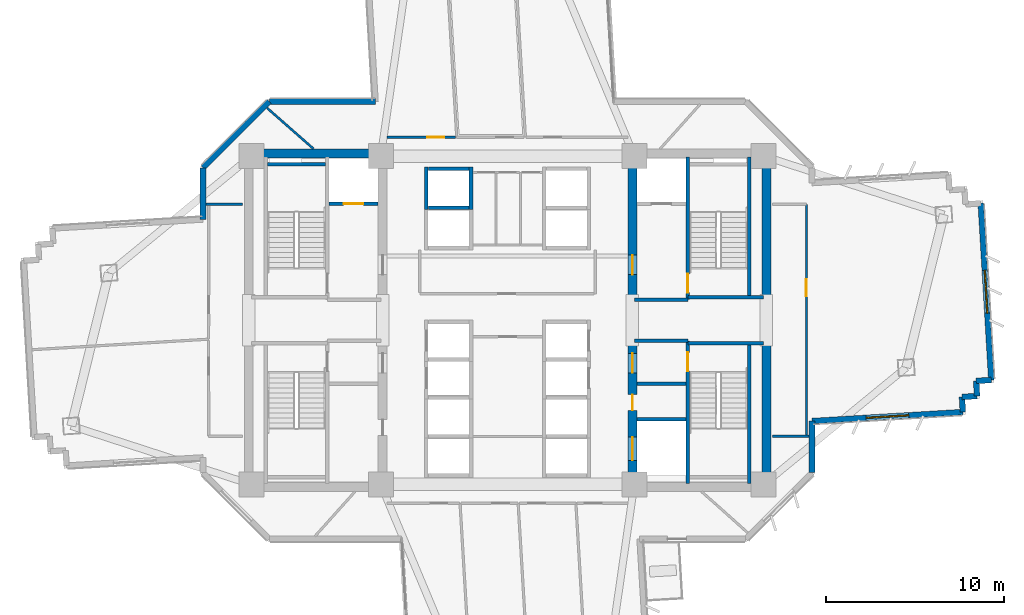
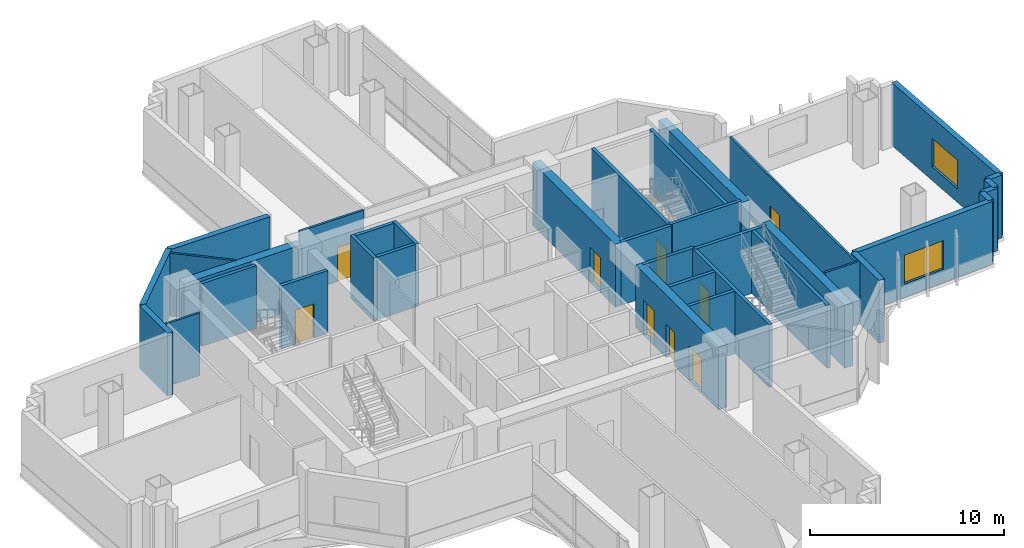
# One storey, part 8 of 15: 36 walls, 9 doors, 2 windows, 11 openings.
"""IFC4 building model written with IfcOpenShell, lengths in metres."""

from ifc_helpers import new_model, si_unit, direction, frame, frame_2d, origin, place, context, subcontext, project, spatial, rectangle, extrude, source, transform, mapped, material, layer, layer_set, type_object, element, fill, save


model = new_model("IFC4")

# Units and contexts
model_context = context("Model", 3, precision=1e-05, world=origin(), true_north=direction((0.0, 1.0)))
body_context = subcontext(model_context, "Body", "Model", "MODEL_VIEW")
ifc_project = project(units=[si_unit("LENGTHUNIT", "METRE"), si_unit("AREAUNIT", "SQUARE_METRE"), si_unit("VOLUMEUNIT", "CUBIC_METRE"), si_unit("PLANEANGLEUNIT", "RADIAN"), si_unit("MASSUNIT", "GRAM", prefix="KILO")], contexts=[model_context])

# Site, building, storey
site_placement = place(None, origin())
site = spatial("IfcSite", under=ifc_project, at=site_placement, CompositionType="ELEMENT")
building_placement = place(site_placement, origin())
building = spatial("IfcBuilding", under=site, at=building_placement, Name="Zahravan Cultural Tower", CompositionType="ELEMENT")
storey_placement = place(building_placement, frame((0.0, 0.0, 66.89990234375)))
storey = spatial("IfcBuildingStorey", under=building, at=storey_placement, Name="L14", CompositionType="ELEMENT", Elevation=66.89990234375)

# Wall, openings, doors
ifc_material_1 = material(Name="Concrete C60/75", Category="concrete")
ifc_layer_1 = layer(ifc_material_1, 0.5)
ifc_layer_set_1 = layer_set([ifc_layer_1], Name="Concrete C60/75")
wall_type_1 = type_object("IfcWallType", Name="CW-SHEAR-500-C60", PredefinedType="SHEAR", material=ifc_layer_set_1)
wall_1_placement = place(storey_placement, frame((43.0, 17.39990234375, 0.0), z_axis=(0.0, 0.0, 1.0), x_axis=(0.0, 1.0, 0.0)))
wall_1 = element("IfcWall", 1, at=wall_1_placement, inside=storey, type_object=wall_type_1, Name="L14 Core Shear Wall CW-E-WS-L14", PredefinedType="SHEAR", context=body_context, shape_type="SweptSolid", body=[
    extrude(rectangle(XDim=8.550048828125, YDim=0.5, at=frame_2d((4.27490234375, 0.0))), origin(), (0.0, 0.0, 1.0), 3.9501953125),
])
opening_1_placement = place(wall_1_placement, frame((6.64990234375, 0.0, 0.0)))
opening_1 = element("IfcOpeningElement", 2, at=opening_1_placement, cuts=wall_1, Name="Opening D-L14-08", PredefinedType="OPENING", context=body_context, shape_type="SweptSolid", body=[
    extrude(rectangle(XDim=1.10009765625, YDim=2.199951171875, at=frame_2d((0.550048828125, 1.10009765625))), frame((0.0, 0.260009765625, 0.0), z_axis=(0.0, -1.0, 0.0), x_axis=(1.0, 0.0, 0.0)), (0.0, 0.0, 1.0), 0.52001953125),
])
opening_2_placement = place(wall_1_placement, frame((1.75, 0.0, 0.0)))
opening_2 = element("IfcOpeningElement", 3, at=opening_2_placement, cuts=wall_1, Name="Opening LD-L14-03", PredefinedType="OPENING", context=body_context, shape_type="SweptSolid", body=[
    extrude(rectangle(XDim=1.300048828125, YDim=2.199951171875, at=frame_2d((0.64990234375, 1.10009765625))), frame((0.0, 0.260009765625, 0.0), z_axis=(0.0, -1.0, 0.0), x_axis=(1.0, 0.0, 0.0)), (0.0, 0.0, 1.0), 0.52001953125),
])
opening_3_placement = place(wall_1_placement, frame((4.550048828125, 0.0, 0.0)))
opening_3 = element("IfcOpeningElement", 4, at=opening_3_placement, cuts=wall_1, Name="Opening D-L14-10", PredefinedType="OPENING", context=body_context, shape_type="SweptSolid", body=[
    extrude(rectangle(XDim=0.8798828125, YDim=2.10009765625, at=frame_2d((0.43994140625, 1.050048828125))), frame((0.0, 0.260009765625, 0.0), z_axis=(0.0, -1.0, 0.0), x_axis=(1.0, 0.0, 0.0)), (0.0, 0.0, 1.0), 0.52001953125),
])
ifc_material_2 = material(Name="Steel ASTM A572 Grade 50", Category="steel")
door_type_1 = type_object("IfcDoorType", Name="DR-LOBBY-1100", OperationType="NOTDEFINED", PredefinedType="DOOR", material=ifc_material_2)
shared_shape_1 = source(origin(), body_context, "Body", "SweptSolid", [
    extrude(rectangle(XDim=1.10009765625, YDim=2.199951171875, at=frame_2d((0.550048828125, 1.10009765625))), frame((0.0, 0.02490234375, 0.0), z_axis=(0.0, -1.0, 0.0), x_axis=(1.0, 0.0, 0.0)), (0.0, 0.0, 1.0), 0.050048828125),
])
door_1_placement = place(opening_1_placement, origin())
door_1 = element("IfcDoor", 5, at=door_1_placement, inside=storey, type_object=door_type_1, Name="L14 Door D-L14-08", OperationType="SINGLE_SWING_LEFT", OverallHeight=2.199951171875, OverallWidth=1.10009765625, PredefinedType="DOOR", context=body_context, shape_type="MappedRepresentation", body=[
    mapped(shared_shape_1, transform((0.0, 0.0, 0.0), x_axis=(1.0, 0.0, 0.0), y_axis=(0.0, 1.0, 0.0), z_axis=(0.0, 0.0, 1.0), scale=1.0)),
])
fill(opening_1, door_1)
door_type_2 = type_object("IfcDoorType", Name="DR-LIFT-1300", OperationType="DOUBLE_DOOR_SLIDING", PredefinedType="DOOR", material=ifc_material_2)
shared_shape_2 = source(origin(), body_context, "Body", "SweptSolid", [
    extrude(rectangle(XDim=1.300048828125, YDim=2.199951171875, at=frame_2d((0.64990234375, 1.10009765625))), frame((0.0, 0.02490234375, 0.0), z_axis=(0.0, -1.0, 0.0), x_axis=(1.0, 0.0, 0.0)), (0.0, 0.0, 1.0), 0.050048828125),
])
door_2_placement = place(opening_2_placement, origin())
door_2 = element("IfcDoor", 6, at=door_2_placement, inside=storey, type_object=door_type_2, Name="L14 Door LD-L14-03", OperationType="DOUBLE_DOOR_SLIDING", OverallHeight=2.199951171875, OverallWidth=1.300048828125, PredefinedType="DOOR", context=body_context, shape_type="MappedRepresentation", body=[
    mapped(shared_shape_2, transform((0.0, 0.0, 0.0), x_axis=(1.0, 0.0, 0.0), y_axis=(0.0, 1.0, 0.0), z_axis=(0.0, 0.0, 1.0), scale=1.0)),
])
fill(opening_2, door_2)
door_type_3 = type_object("IfcDoorType", Name="DR-SVC-880", OperationType="NOTDEFINED", PredefinedType="DOOR", material=ifc_material_2)
shared_shape_3 = source(origin(), body_context, "Body", "SweptSolid", [
    extrude(rectangle(XDim=0.8798828125, YDim=2.10009765625, at=frame_2d((0.43994140625, 1.050048828125))), frame((0.0, 0.02490234375, 0.0), z_axis=(0.0, -1.0, 0.0), x_axis=(1.0, 0.0, 0.0)), (0.0, 0.0, 1.0), 0.050048828125),
])
door_3_placement = place(opening_3_placement, origin())
door_3 = element("IfcDoor", 7, at=door_3_placement, inside=storey, type_object=door_type_3, Name="L14 Door D-L14-10", OperationType="SINGLE_SWING_LEFT", OverallHeight=2.10009765625, OverallWidth=0.8798828125, PredefinedType="DOOR", context=body_context, shape_type="MappedRepresentation", body=[
    mapped(shared_shape_3, transform((0.0, 0.0, 0.0), x_axis=(1.0, 0.0, 0.0), y_axis=(0.0, 1.0, 0.0), z_axis=(0.0, 0.0, 1.0), scale=1.0)),
])
fill(opening_3, door_3)

# Wall, opening, door
wall_2_placement = place(storey_placement, frame((43.0, 28.050048828125, 0.0), z_axis=(0.0, 0.0, 1.0), x_axis=(0.0, 1.0, 0.0)))
wall_2 = element("IfcWall", 8, at=wall_2_placement, inside=storey, type_object=wall_type_1, Name="L14 Core Shear Wall CW-E-WN-L14", PredefinedType="SHEAR", context=body_context, shape_type="SweptSolid", body=[
    extrude(rectangle(XDim=8.550048828125, YDim=0.5, at=frame_2d((4.27490234375, 0.0))), origin(), (0.0, 0.0, 1.0), 3.9501953125),
])
opening_4_placement = place(wall_2_placement, frame((1.5, 0.0, 0.0)))
opening_4 = element("IfcOpeningElement", 9, at=opening_4_placement, cuts=wall_2, Name="Opening D-L14-06", PredefinedType="OPENING", context=body_context, shape_type="SweptSolid", body=[
    extrude(rectangle(XDim=1.10009765625, YDim=2.199951171875, at=frame_2d((0.550048828125, 1.10009765625))), frame((0.0, 0.260009765625, 0.0), z_axis=(0.0, -1.0, 0.0), x_axis=(1.0, 0.0, 0.0)), (0.0, 0.0, 1.0), 0.52001953125),
])
door_4_placement = place(opening_4_placement, origin())
door_4 = element("IfcDoor", 10, at=door_4_placement, inside=storey, type_object=door_type_1, Name="L14 Door D-L14-06", OperationType="SINGLE_SWING_LEFT", OverallHeight=2.199951171875, OverallWidth=1.10009765625, PredefinedType="DOOR", context=body_context, shape_type="MappedRepresentation", body=[
    mapped(shared_shape_1, transform((0.0, 0.0, 0.0), x_axis=(1.0, 0.0, 0.0), y_axis=(0.0, 1.0, 0.0), z_axis=(0.0, 0.0, 1.0), scale=1.0)),
])
fill(opening_4, door_4)

# Wall, opening, window
ifc_material_3 = material(Name="Precast concrete C40/50", Category="concrete")
ifc_layer_2 = layer(ifc_material_3, 0.320068359375)
ifc_layer_set_2 = layer_set([ifc_layer_2], Name="Precast concrete C40/50")
wall_type_2 = type_object("IfcWallType", Name="EW-TC-320", PredefinedType="SOLIDWALL", material=ifc_layer_set_2)
wall_3_placement = place(storey_placement, frame((62.516357421875, 33.553466796875, 0.0), z_axis=(0.0, 0.0, 1.0), x_axis=(0.059656871726, -0.998218942745, 0.0)))
wall_3 = element("IfcWall", 11, at=wall_3_placement, inside=storey, type_object=wall_type_2, Name="L14 Exterior Masonry Frame Wall 06", PredefinedType="SOLIDWALL", context=body_context, shape_type="SweptSolid", body=[
    extrude(rectangle(XDim=9.919921875, YDim=0.320068359375, at=frame_2d((4.9599609375, 0.0))), origin(), (0.0, 0.0, 1.0), 3.9501953125),
])
opening_5_placement = place(wall_3_placement, frame((3.760009765625, 0.0, 0.85009765625)))
opening_5 = element("IfcOpeningElement", 12, at=opening_5_placement, cuts=wall_3, Name="Opening WN-01", PredefinedType="OPENING", context=body_context, shape_type="SweptSolid", body=[
    extrude(rectangle(XDim=2.39990234375, YDim=1.800048828125, at=frame_2d((1.199951171875, 0.89990234375))), frame((0.0, 0.169921875, 0.0), z_axis=(0.0, -1.0, 0.0), x_axis=(1.0, 0.0, 0.0)), (0.0, 0.0, 1.0), 0.340087890625),
])
ifc_material_4 = material(Name="Low-E solar-control double glazing", Category="glass")
window_type = type_object("IfcWindowType", Name="WN-REC-2400X1800", PartitioningType="DOUBLE_PANEL_VERTICAL", PredefinedType="WINDOW", material=ifc_material_4)
shared_shape_4 = source(origin(), body_context, "Body", "SweptSolid", [
    extrude(rectangle(XDim=2.39990234375, YDim=1.800048828125, at=frame_2d((1.199951171875, 0.89990234375))), frame((0.0, 0.030029296875, 0.0), z_axis=(0.0, -1.0, 0.0), x_axis=(1.0, 0.0, 0.0)), (0.0, 0.0, 1.0), 0.06005859375),
])
window_1_placement = place(opening_5_placement, origin())
window_1 = element("IfcWindow", 13, at=window_1_placement, inside=storey, type_object=window_type, Name="L14 Recessed Solar Window 02", OverallHeight=1.800048828125, OverallWidth=2.39990234375, PartitioningType="DOUBLE_PANEL_VERTICAL", PredefinedType="WINDOW", context=body_context, shape_type="MappedRepresentation", body=[
    mapped(shared_shape_4, transform((0.0, 0.0, 0.0), x_axis=(1.0, 0.0, 0.0), y_axis=(0.0, 1.0, 0.0), z_axis=(0.0, 0.0, 1.0), scale=1.0)),
])
fill(opening_5, window_1)

wall_4_placement = place(storey_placement, frame((61.512451171875, 21.852783203125, 0.0), z_axis=(0.0, 0.0, 1.0), x_axis=(-0.998219055518, -0.059654984716, 0.0)))
wall_4 = element("IfcWall", 14, at=wall_4_placement, inside=storey, type_object=wall_type_2, Name="L14 Exterior Masonry Frame Wall 11", PredefinedType="SOLIDWALL", context=body_context, shape_type="SweptSolid", body=[
    extrude(rectangle(XDim=8.467529296875, YDim=0.320068359375, at=frame_2d((4.23388671875, 0.0))), origin(), (0.0, 0.0, 1.0), 3.9501953125),
])
opening_6_placement = place(wall_4_placement, frame((3.033935546875, 0.0, 0.85009765625)))
opening_6 = element("IfcOpeningElement", 15, at=opening_6_placement, cuts=wall_4, Name="Opening WN-01", PredefinedType="OPENING", context=body_context, shape_type="SweptSolid", body=[
    extrude(rectangle(XDim=2.39990234375, YDim=1.800048828125, at=frame_2d((1.199951171875, 0.89990234375))), frame((0.0, 0.169921875, 0.0), z_axis=(0.0, -1.0, 0.0), x_axis=(1.0, 0.0, 0.0)), (0.0, 0.0, 1.0), 0.340087890625),
])
window_2_placement = place(opening_6_placement, origin())
window_2 = element("IfcWindow", 16, at=window_2_placement, inside=storey, type_object=window_type, Name="L14 Recessed Solar Window 03", OverallHeight=1.800048828125, OverallWidth=2.39990234375, PartitioningType="DOUBLE_PANEL_VERTICAL", PredefinedType="WINDOW", context=body_context, shape_type="MappedRepresentation", body=[
    mapped(shared_shape_4, transform((0.0, 0.0, 0.0), x_axis=(1.0, 0.0, 0.0), y_axis=(0.0, 1.0, 0.0), z_axis=(0.0, 0.0, 1.0), scale=1.0)),
])
fill(opening_6, window_2)

# Wall, opening, door
ifc_material_5 = material(Name="Gypsum plasterboard partition")
ifc_layer_3 = layer(ifc_material_5, 0.125)
ifc_layer_set_3 = layer_set([ifc_layer_3], Name="Gypsum plasterboard partition")
wall_type_3 = type_object("IfcWallType", Name="W-PART-125", PredefinedType="PARTITIONING", material=ifc_layer_set_3)
wall_5_placement = place(storey_placement, frame((33.085205078125, 37.260009765625, 0.0), z_axis=(0.0, 0.0, 1.0), x_axis=(-0.999999997966, -6.3783646e-05, 0.0)))
wall_5 = element("IfcWall", 17, at=wall_5_placement, inside=storey, type_object=wall_type_3, Name="L14 Interior Wall 092", PredefinedType="PARTITIONING", context=body_context, shape_type="SweptSolid", body=[
    extrude(rectangle(XDim=3.82763671875, YDim=0.125, at=frame_2d((1.913818359375, 0.0))), origin(), (0.0, 0.0, 1.0), 3.9501953125),
])
opening_7_placement = place(wall_5_placement, frame((0.633056640625, 0.0, 0.0)))
opening_7 = element("IfcOpeningElement", 18, at=opening_7_placement, cuts=wall_5, Name="Opening D-L14-19", PredefinedType="OPENING", context=body_context, shape_type="SweptSolid", body=[
    extrude(rectangle(XDim=0.949951171875, YDim=2.14990234375, at=frame_2d((0.47509765625, 1.074951171875))), frame((0.0, 0.072509765625, 0.0), z_axis=(0.0, -1.0, 0.0), x_axis=(1.0, 0.0, 0.0)), (0.0, 0.0, 1.0), 0.14501953125),
])
ifc_material_6 = material(Name="Anodised bronze-aluminium mullion", Category="aluminium")
door_type_4 = type_object("IfcDoorType", Name="DR-ROOM-950", OperationType="NOTDEFINED", PredefinedType="DOOR", material=ifc_material_6)
shared_shape_5 = source(origin(), body_context, "Body", "SweptSolid", [
    extrude(rectangle(XDim=0.949951171875, YDim=2.14990234375, at=frame_2d((0.47509765625, 1.074951171875))), frame((0.0, 0.02490234375, 0.0), z_axis=(0.0, -1.0, 0.0), x_axis=(1.0, 0.0, 0.0)), (0.0, 0.0, 1.0), 0.050048828125),
])
door_5_placement = place(opening_7_placement, origin())
door_5 = element("IfcDoor", 19, at=door_5_placement, inside=storey, type_object=door_type_4, Name="L14 Door D-L14-19", OperationType="SINGLE_SWING_RIGHT", OverallHeight=2.14990234375, OverallWidth=0.949951171875, PredefinedType="DOOR", context=body_context, shape_type="MappedRepresentation", body=[
    mapped(shared_shape_5, transform((0.0, 0.0, 0.0), x_axis=(1.0, 0.0, 0.0), y_axis=(0.0, 1.0, 0.0), z_axis=(0.0, 0.0, 1.0), scale=1.0)),
])
fill(opening_7, door_5)

wall_6_placement = place(storey_placement, frame((52.748779296875, 20.56982421875, 0.0), z_axis=(0.0, 0.0, 1.0), x_axis=(-0.000113312307, 0.99999999358, 0.0)))
wall_6 = element("IfcWall", 20, at=wall_6_placement, inside=storey, type_object=wall_type_3, Name="L14 Interior Wall 103", PredefinedType="PARTITIONING", context=body_context, shape_type="SweptSolid", body=[
    extrude(rectangle(XDim=12.927490234375, YDim=0.125, at=frame_2d((6.4638671875, 0.0))), origin(), (0.0, 0.0, 1.0), 3.9501953125),
])
opening_8_placement = place(wall_6_placement, frame((7.785400390625, 0.0, 0.0)))
opening_8 = element("IfcOpeningElement", 21, at=opening_8_placement, cuts=wall_6, Name="Opening D-L14-16", PredefinedType="OPENING", context=body_context, shape_type="SweptSolid", body=[
    extrude(rectangle(XDim=0.949951171875, YDim=2.14990234375, at=frame_2d((0.47509765625, 1.074951171875))), frame((0.0, 0.072509765625, 0.0), z_axis=(0.0, -1.0, 0.0), x_axis=(1.0, 0.0, 0.0)), (0.0, 0.0, 1.0), 0.14501953125),
])
door_6_placement = place(opening_8_placement, origin())
door_6 = element("IfcDoor", 22, at=door_6_placement, inside=storey, type_object=door_type_4, Name="L14 Door D-L14-16", OperationType="SINGLE_SWING_LEFT", OverallHeight=2.14990234375, OverallWidth=0.949951171875, PredefinedType="DOOR", context=body_context, shape_type="MappedRepresentation", body=[
    mapped(shared_shape_5, transform((0.0, 0.0, 0.0), x_axis=(1.0, 0.0, 0.0), y_axis=(0.0, 1.0, 0.0), z_axis=(0.0, 0.0, 1.0), scale=1.0)),
])
fill(opening_8, door_6)

ifc_material_7 = material(Name="Concrete C45/55", Category="concrete")
ifc_layer_4 = layer(ifc_material_7, 0.199951171875)
ifc_layer_set_4 = layer_set([ifc_layer_4], Name="Concrete C45/55")
wall_type_4 = type_object("IfcWallType", Name="W-SHAFT-200", PredefinedType="SOLIDWALL", material=ifc_layer_set_4)
wall_7_placement = place(storey_placement, frame((46.10009765625, 17.85009765625, 0.0), z_axis=(0.0, 0.0, 1.0), x_axis=(0.0, 1.0, 0.0)))
wall_7 = element("IfcWall", 23, at=wall_7_placement, inside=storey, type_object=wall_type_4, Name="L14 Interior Wall 007", PredefinedType="SOLIDWALL", context=body_context, shape_type="SweptSolid", body=[
    extrude(rectangle(XDim=8.0, YDim=0.199951171875, at=frame_2d((4.0, 0.0))), origin(), (0.0, 0.0, 1.0), 3.9501953125),
])
opening_9_placement = place(wall_7_placement, frame((6.300048828125, 0.0, 0.0)))
opening_9 = element("IfcOpeningElement", 24, at=opening_9_placement, cuts=wall_7, Name="Opening D-L14-03", PredefinedType="OPENING", context=body_context, shape_type="SweptSolid", body=[
    extrude(rectangle(XDim=1.050048828125, YDim=2.14990234375, at=frame_2d((0.52490234375, 1.074951171875))), frame((0.0, 0.10986328125, 0.0), z_axis=(0.0, -1.0, 0.0), x_axis=(1.0, 0.0, 0.0)), (0.0, 0.0, 1.0), 0.219970703125),
])
door_type_5 = type_object("IfcDoorType", Name="DR-STAIR-1050", OperationType="NOTDEFINED", PredefinedType="DOOR", material=ifc_material_2)
shared_shape_6 = source(origin(), body_context, "Body", "SweptSolid", [
    extrude(rectangle(XDim=1.050048828125, YDim=2.14990234375, at=frame_2d((0.52490234375, 1.074951171875))), frame((0.0, 0.02490234375, 0.0), z_axis=(0.0, -1.0, 0.0), x_axis=(1.0, 0.0, 0.0)), (0.0, 0.0, 1.0), 0.050048828125),
])
door_7_placement = place(opening_9_placement, origin())
door_7 = element("IfcDoor", 25, at=door_7_placement, inside=storey, type_object=door_type_5, Name="L14 Door D-L14-03", OperationType="SINGLE_SWING_RIGHT", OverallHeight=2.14990234375, OverallWidth=1.050048828125, PredefinedType="DOOR", context=body_context, shape_type="MappedRepresentation", body=[
    mapped(shared_shape_6, transform((0.0, 0.0, 0.0), x_axis=(1.0, 0.0, 0.0), y_axis=(0.0, 1.0, 0.0), z_axis=(0.0, 0.0, 1.0), scale=1.0)),
])
fill(opening_9, door_7)

wall_8_placement = place(storey_placement, frame((46.10009765625, 28.14990234375, 0.0), z_axis=(0.0, 0.0, 1.0), x_axis=(0.0, 1.0, 0.0)))
wall_8 = element("IfcWall", 26, at=wall_8_placement, inside=storey, type_object=wall_type_4, Name="L14 Interior Wall 008", PredefinedType="SOLIDWALL", context=body_context, shape_type="SweptSolid", body=[
    extrude(rectangle(XDim=8.0, YDim=0.199951171875, at=frame_2d((4.0, 0.0))), origin(), (0.0, 0.0, 1.0), 3.9501953125),
])
opening_10_placement = place(wall_8_placement, frame((0.39990234375, 0.0, 0.0)))
opening_10 = element("IfcOpeningElement", 27, at=opening_10_placement, cuts=wall_8, Name="Opening D-L14-02", PredefinedType="OPENING", context=body_context, shape_type="SweptSolid", body=[
    extrude(rectangle(XDim=1.050048828125, YDim=2.14990234375, at=frame_2d((0.52490234375, 1.074951171875))), frame((0.0, 0.10986328125, 0.0), z_axis=(0.0, -1.0, 0.0), x_axis=(1.0, 0.0, 0.0)), (0.0, 0.0, 1.0), 0.219970703125),
])
door_8_placement = place(opening_10_placement, origin())
door_8 = element("IfcDoor", 28, at=door_8_placement, inside=storey, type_object=door_type_5, Name="L14 Door D-L14-02", OperationType="SINGLE_SWING_LEFT", OverallHeight=2.14990234375, OverallWidth=1.050048828125, PredefinedType="DOOR", context=body_context, shape_type="MappedRepresentation", body=[
    mapped(shared_shape_6, transform((0.0, 0.0, 0.0), x_axis=(1.0, 0.0, 0.0), y_axis=(0.0, 1.0, 0.0), z_axis=(0.0, 0.0, 1.0), scale=1.0)),
])
fill(opening_10, door_8)

wall_9_placement = place(storey_placement, frame((26.0, 33.52001953125, 0.0), z_axis=(0.0, 0.0, 1.0), x_axis=(1.0, 0.0, 0.0)))
wall_9 = element("IfcWall", 29, at=wall_9_placement, inside=storey, type_object=wall_type_4, Name="L14 Interior Wall 021", PredefinedType="SOLIDWALL", context=body_context, shape_type="SweptSolid", body=[
    extrude(rectangle(XDim=2.75, YDim=0.199951171875, at=frame_2d((1.375, 0.0))), origin(), (0.0, 0.0, 1.0), 3.9501953125),
])
opening_11_placement = place(wall_9_placement, frame((0.820068359375, 0.0, 0.0)))
opening_11 = element("IfcOpeningElement", 30, at=opening_11_placement, cuts=wall_9, Name="Opening LD-L14-01", PredefinedType="OPENING", context=body_context, shape_type="SweptSolid", body=[
    extrude(rectangle(XDim=1.10009765625, YDim=2.14990234375, at=frame_2d((0.550048828125, 1.074951171875))), frame((0.0, 0.10986328125, 0.0), z_axis=(0.0, -1.0, 0.0), x_axis=(1.0, 0.0, 0.0)), (0.0, 0.0, 1.0), 0.219970703125),
])
door_type_6 = type_object("IfcDoorType", Name="DR-LIFT-1100", OperationType="DOUBLE_DOOR_SLIDING", PredefinedType="DOOR", material=ifc_material_2)
shared_shape_7 = source(origin(), body_context, "Body", "SweptSolid", [
    extrude(rectangle(XDim=1.10009765625, YDim=2.14990234375, at=frame_2d((0.550048828125, 1.074951171875))), frame((0.0, 0.02490234375, 0.0), z_axis=(0.0, -1.0, 0.0), x_axis=(1.0, 0.0, 0.0)), (0.0, 0.0, 1.0), 0.050048828125),
])
door_9_placement = place(opening_11_placement, origin())
door_9 = element("IfcDoor", 31, at=door_9_placement, inside=storey, type_object=door_type_6, Name="L14 Door LD-L14-01", OperationType="DOUBLE_DOOR_SLIDING", OverallHeight=2.14990234375, OverallWidth=1.10009765625, PredefinedType="DOOR", context=body_context, shape_type="MappedRepresentation", body=[
    mapped(shared_shape_7, transform((0.0, 0.0, 0.0), x_axis=(1.0, 0.0, 0.0), y_axis=(0.0, 1.0, 0.0), z_axis=(0.0, 0.0, 1.0), scale=1.0)),
])
fill(opening_11, door_9)

# Walls
shared_shape_8 = source(origin(), body_context, "Body", "SweptSolid", [
    extrude(rectangle(XDim=8.550048828125, YDim=0.5, at=frame_2d((4.27490234375, 0.0))), origin(), (0.0, 0.0, 1.0), 3.9501953125),
])
for number, where, z_axis, x_axis, name in (
    (32, (50.5, 17.39990234375, 0.0), (0.0, 0.0, 1.0), (0.0, 1.0, 0.0), "L14 Core Shear Wall CW-E-ES-L14"),
    (33, (50.5, 28.050048828125, 0.0), (0.0, 0.0, 1.0), (0.0, 1.0, 0.0), "L14 Core Shear Wall CW-E-EN-L14"),
):
    element("IfcWall", number, at=place(storey_placement, frame(where, z_axis=z_axis, x_axis=x_axis)), inside=storey, type_object=wall_type_1, Name=name, PredefinedType="SHEAR", context=body_context, shape_type="MappedRepresentation", body=[
        mapped(shared_shape_8, transform((0.0, 0.0, 0.0), x_axis=(1.0, 0.0, 0.0), y_axis=(0.0, 1.0, 0.0), z_axis=(0.0, 0.0, 1.0), scale=1.0)),
    ])
shared_shape_9 = source(origin(), body_context, "Body", "SweptSolid", [
    extrude(rectangle(XDim=7.0, YDim=0.5, at=frame_2d((3.5, 0.0))), origin(), (0.0, 0.0, 1.0), 3.9501953125),
])
wall_10_placement = place(storey_placement, frame((21.75, 36.35009765625, 0.0), z_axis=(0.0, 0.0, 1.0), x_axis=(1.0, 0.0, 0.0)))
element("IfcWall", 34, at=wall_10_placement, inside=storey, type_object=wall_type_1, Name="L14 Core Shear Wall CW-W-N-L14", PredefinedType="SHEAR", context=body_context, shape_type="MappedRepresentation", body=[
    mapped(shared_shape_9, transform((0.0, 0.0, 0.0), x_axis=(1.0, 0.0, 0.0), y_axis=(0.0, 1.0, 0.0), z_axis=(0.0, 0.0, 1.0), scale=1.0)),
])
shared_shape_10 = source(origin(), body_context, "Body", "SweptSolid", [
    extrude(rectangle(XDim=0.85009765625, YDim=0.320068359375, at=frame_2d((0.425048828125, 0.0))), origin(), (0.0, 0.0, 1.0), 3.9501953125),
])
for number, where, z_axis, x_axis, name in (
    (35, (63.108154296875, 23.651123046875, 0.0), (0.0, 0.0, 1.0), (-0.998231529116, -0.059445893707, 0.0), "L14 Exterior Masonry Frame Wall 07"),
    (36, (62.259521484375, 23.6005859375, 0.0), (0.0, 0.0, 1.0), (0.059732049764, -0.998214447016, 0.0), "L14 Exterior Masonry Frame Wall 08"),
    (37, (61.4619140625, 22.701416015625, 0.0), (0.0, 0.0, 1.0), (0.059445893707, -0.998231529116, 0.0), "L14 Exterior Masonry Frame Wall 10"),
):
    element("IfcWall", number, at=place(storey_placement, frame(where, z_axis=z_axis, x_axis=x_axis)), inside=storey, type_object=wall_type_2, Name=name, PredefinedType="SOLIDWALL", context=body_context, shape_type="MappedRepresentation", body=[
        mapped(shared_shape_10, transform((0.0, 0.0, 0.0), x_axis=(1.0, 0.0, 0.0), y_axis=(0.0, 1.0, 0.0), z_axis=(0.0, 0.0, 1.0), scale=1.0)),
    ])
shared_shape_11 = source(origin(), body_context, "Body", "SweptSolid", [
    extrude(rectangle(XDim=0.849853515625, YDim=0.320068359375, at=frame_2d((0.4248046875, 0.0))), origin(), (0.0, 0.0, 1.0), 3.9501953125),
])
wall_11_placement = place(storey_placement, frame((62.310302734375, 22.751953125, 0.0), z_axis=(0.0, 0.0, 1.0), x_axis=(-0.998230513845, -0.059462939961, 0.0)))
element("IfcWall", 38, at=wall_11_placement, inside=storey, type_object=wall_type_2, Name="L14 Exterior Masonry Frame Wall 09", PredefinedType="SOLIDWALL", context=body_context, shape_type="MappedRepresentation", body=[
    mapped(shared_shape_11, transform((0.0, 0.0, 0.0), x_axis=(1.0, 0.0, 0.0), y_axis=(0.0, 1.0, 0.0), z_axis=(0.0, 0.0, 1.0), scale=1.0)),
])
shared_shape_12 = source(origin(), body_context, "Body", "SweptSolid", [
    extrude(rectangle(XDim=5.258056640625, YDim=0.320068359375, at=frame_2d((2.62890625, 0.0))), origin(), (0.0, 0.0, 1.0), 3.9501953125),
])
wall_12_placement = place(storey_placement, frame((18.93994140625, 35.5419921875, 0.0), z_axis=(0.0, 0.0, 1.0), x_axis=(0.707106781187, 0.707106781187, 0.0)))
element("IfcWall", 39, at=wall_12_placement, inside=storey, type_object=wall_type_2, Name="L14 Exterior Masonry Frame Wall 40", PredefinedType="SOLIDWALL", context=body_context, shape_type="MappedRepresentation", body=[
    mapped(shared_shape_12, transform((0.0, 0.0, 0.0), x_axis=(1.0, 0.0, 0.0), y_axis=(0.0, 1.0, 0.0), z_axis=(0.0, 0.0, 1.0), scale=1.0)),
])
shared_shape_13 = source(origin(), body_context, "Body", "SweptSolid", [
    extrude(rectangle(XDim=2.8896484375, YDim=0.320068359375, at=frame_2d((1.44482421875, 0.0))), origin(), (0.0, 0.0, 1.0), 3.9501953125),
])
for number, where, z_axis, x_axis, name in (
    (40, (53.06005859375, 21.34765625, 0.0), (0.0, 0.0, 1.0), (0.0, -1.0, 0.0), "L14 Exterior Masonry Frame Wall 12"),
    (41, (18.93994140625, 32.65234375, 0.0), (0.0, 0.0, 1.0), (0.0, 1.0, 0.0), "L14 Exterior Masonry Frame Wall 39"),
):
    element("IfcWall", number, at=place(storey_placement, frame(where, z_axis=z_axis, x_axis=x_axis)), inside=storey, type_object=wall_type_2, Name=name, PredefinedType="SOLIDWALL", context=body_context, shape_type="MappedRepresentation", body=[
        mapped(shared_shape_13, transform((0.0, 0.0, 0.0), x_axis=(1.0, 0.0, 0.0), y_axis=(0.0, 1.0, 0.0), z_axis=(0.0, 0.0, 1.0), scale=1.0)),
    ])
shared_shape_14 = source(origin(), body_context, "Body", "SweptSolid", [
    extrude(rectangle(XDim=5.9375, YDim=0.320068359375, at=frame_2d((2.96875, 0.0))), origin(), (0.0, 0.0, 1.0), 3.9501953125),
])
wall_13_placement = place(storey_placement, frame((22.657958984375, 39.260009765625, 0.0), z_axis=(0.0, 0.0, 1.0), x_axis=(1.0, 0.0, 0.0)))
element("IfcWall", 42, at=wall_13_placement, inside=storey, type_object=wall_type_2, Name="L14 Exterior Masonry Frame Wall 41", PredefinedType="SOLIDWALL", context=body_context, shape_type="MappedRepresentation", body=[
    mapped(shared_shape_14, transform((0.0, 0.0, 0.0), x_axis=(1.0, 0.0, 0.0), y_axis=(0.0, 1.0, 0.0), z_axis=(0.0, 0.0, 1.0), scale=1.0)),
])
shared_shape_15 = source(origin(), body_context, "Body", "SweptSolid", [
    extrude(rectangle(XDim=7.869873046875, YDim=0.199951171875, at=frame_2d((3.93505859375, 0.0))), origin(), (0.0, 0.0, 1.0), 3.9501953125),
])
for number, where, z_axis, x_axis, name in (
    (43, (49.550048828125, 17.85009765625, 0.0), (0.0, 0.0, 1.0), (0.0, 1.0, 0.0), "L14 Interior Wall 003"),
    (44, (49.550048828125, 28.280029296875, 0.0), (0.0, 0.0, 1.0), (0.0, 1.0, 0.0), "L14 Interior Wall 004"),
):
    element("IfcWall", number, at=place(storey_placement, frame(where, z_axis=z_axis, x_axis=x_axis)), inside=storey, type_object=wall_type_4, Name=name, PredefinedType="SOLIDWALL", context=body_context, shape_type="MappedRepresentation", body=[
        mapped(shared_shape_15, transform((0.0, 0.0, 0.0), x_axis=(1.0, 0.0, 0.0), y_axis=(0.0, 1.0, 0.0), z_axis=(0.0, 0.0, 1.0), scale=1.0)),
    ])
shared_shape_16 = source(origin(), body_context, "Body", "SweptSolid", [
    extrude(rectangle(XDim=4.25, YDim=0.199951171875, at=frame_2d((2.125, 0.0))), origin(), (0.0, 0.0, 1.0), 3.9501953125),
])
for number, where, z_axis, x_axis, name in (
    (45, (46.10009765625, 25.715087890625, 0.0), (0.0, 0.0, 1.0), (1.0, 0.0, 0.0), "L14 Interior Wall 014"),
    (46, (46.10009765625, 28.284912109375, 0.0), (0.0, 0.0, 1.0), (1.0, 0.0, 0.0), "L14 Interior Wall 016"),
):
    element("IfcWall", number, at=place(storey_placement, frame(where, z_axis=z_axis, x_axis=x_axis)), inside=storey, type_object=wall_type_4, Name=name, PredefinedType="SOLIDWALL", context=body_context, shape_type="MappedRepresentation", body=[
        mapped(shared_shape_16, transform((0.0, 0.0, 0.0), x_axis=(1.0, 0.0, 0.0), y_axis=(0.0, 1.0, 0.0), z_axis=(0.0, 0.0, 1.0), scale=1.0)),
    ])
shared_shape_17 = source(origin(), body_context, "Body", "SweptSolid", [
    extrude(rectangle(XDim=3.0, YDim=0.199951171875, at=frame_2d((1.5, 0.0))), origin(), (0.0, 0.0, 1.0), 3.9501953125),
])
for number, where, z_axis, x_axis, name in (
    (47, (43.10009765625, 25.85009765625, 0.0), (0.0, 0.0, 1.0), (1.0, 0.0, 0.0), "L14 Interior Wall 013"),
    (48, (43.10009765625, 28.14990234375, 0.0), (0.0, 0.0, 1.0), (1.0, 0.0, 0.0), "L14 Interior Wall 015"),
):
    element("IfcWall", number, at=place(storey_placement, frame(where, z_axis=z_axis, x_axis=x_axis)), inside=storey, type_object=wall_type_4, Name=name, PredefinedType="SOLIDWALL", context=body_context, shape_type="MappedRepresentation", body=[
        mapped(shared_shape_17, transform((0.0, 0.0, 0.0), x_axis=(1.0, 0.0, 0.0), y_axis=(0.0, 1.0, 0.0), z_axis=(0.0, 0.0, 1.0), scale=1.0)),
    ])
shared_shape_18 = source(origin(), body_context, "Body", "SweptSolid", [
    extrude(rectangle(XDim=3.25, YDim=0.199951171875, at=frame_2d((1.625, 0.0))), origin(), (0.0, 0.0, 1.0), 3.9501953125),
])
wall_14_placement = place(storey_placement, frame((22.550048828125, 35.75, 0.0), z_axis=(0.0, 0.0, 1.0), x_axis=(1.0, 0.0, 0.0)))
element("IfcWall", 49, at=wall_14_placement, inside=storey, type_object=wall_type_4, Name="L14 Interior Wall 017", PredefinedType="SOLIDWALL", context=body_context, shape_type="MappedRepresentation", body=[
    mapped(shared_shape_18, transform((0.0, 0.0, 0.0), x_axis=(1.0, 0.0, 0.0), y_axis=(0.0, 1.0, 0.0), z_axis=(0.0, 0.0, 1.0), scale=1.0)),
])
shared_shape_19 = source(origin(), body_context, "Body", "SweptSolid", [
    extrude(rectangle(XDim=2.75, YDim=0.199951171875, at=frame_2d((1.375, 0.0))), origin(), (0.0, 0.0, 1.0), 3.9501953125),
])
for number, where, z_axis, x_axis, name in (
    (50, (43.25, 23.449951171875, 0.0), (0.0, 0.0, 1.0), (1.0, 0.0, 0.0), "L14 Interior Wall 024"),
    (51, (43.25, 21.449951171875, 0.0), (0.0, 0.0, 1.0), (1.0, 0.0, 0.0), "L14 Interior Wall 025"),
):
    element("IfcWall", number, at=place(storey_placement, frame(where, z_axis=z_axis, x_axis=x_axis)), inside=storey, type_object=wall_type_4, Name=name, PredefinedType="SOLIDWALL", context=body_context, shape_type="MappedRepresentation", body=[
        mapped(shared_shape_19, transform((0.0, 0.0, 0.0), x_axis=(1.0, 0.0, 0.0), y_axis=(0.0, 1.0, 0.0), z_axis=(0.0, 0.0, 1.0), scale=1.0)),
    ])
shared_shape_20 = source(origin(), body_context, "Body", "SweptSolid", [
    extrude(rectangle(XDim=2.400146484375, YDim=0.199951171875, at=frame_2d((1.2001953125, 0.0))), origin(), (0.0, 0.0, 1.0), 3.9501953125),
])
for number, where, z_axis, x_axis, name in (
    (52, (31.449951171875, 33.199951171875, 0.0), (0.0, 0.0, 1.0), (0.0, 1.0, 0.0), "L14 Interior Wall 026"),
    (53, (33.949951171875, 33.199951171875, 0.0), (0.0, 0.0, 1.0), (0.0, 1.0, 0.0), "L14 Interior Wall 027"),
):
    element("IfcWall", number, at=place(storey_placement, frame(where, z_axis=z_axis, x_axis=x_axis)), inside=storey, type_object=wall_type_4, Name=name, PredefinedType="SOLIDWALL", context=body_context, shape_type="MappedRepresentation", body=[
        mapped(shared_shape_20, transform((0.0, 0.0, 0.0), x_axis=(1.0, 0.0, 0.0), y_axis=(0.0, 1.0, 0.0), z_axis=(0.0, 0.0, 1.0), scale=1.0)),
    ])
shared_shape_21 = source(origin(), body_context, "Body", "SweptSolid", [
    extrude(rectangle(XDim=2.260009765625, YDim=0.199951171875, at=frame_2d((1.1298828125, 0.0))), origin(), (0.0, 0.0, 1.0), 3.9501953125),
])
for number, where, z_axis, x_axis, name in (
    (54, (31.570068359375, 33.300048828125, 0.0), (0.0, 0.0, 1.0), (1.0, 0.0, 0.0), "L14 Interior Wall 028"),
    (55, (31.570068359375, 35.5, 0.0), (0.0, 0.0, 1.0), (1.0, 0.0, 0.0), "L14 Interior Wall 029"),
):
    element("IfcWall", number, at=place(storey_placement, frame(where, z_axis=z_axis, x_axis=x_axis)), inside=storey, type_object=wall_type_4, Name=name, PredefinedType="SOLIDWALL", context=body_context, shape_type="MappedRepresentation", body=[
        mapped(shared_shape_21, transform((0.0, 0.0, 0.0), x_axis=(1.0, 0.0, 0.0), y_axis=(0.0, 1.0, 0.0), z_axis=(0.0, 0.0, 1.0), scale=1.0)),
    ])
shared_shape_22 = source(origin(), body_context, "Body", "SweptSolid", [
    extrude(rectangle(XDim=2.04931640625, YDim=0.125, at=frame_2d((1.024658203125, 0.0))), origin(), (0.0, 0.0, 1.0), 3.9501953125),
])
for number, where, z_axis, x_axis, name in (
    (56, (21.1494140625, 33.49658203125, 0.0), (0.0, 0.0, 1.0), (-0.999999936133, 0.000357398119, 0.0), "L14 Interior Wall 096"),
    (57, (50.8505859375, 20.50341796875, 0.0), (0.0, 0.0, 1.0), (0.999999822593, -0.000595663464, 0.0), "L14 Interior Wall 102"),
):
    element("IfcWall", number, at=place(storey_placement, frame(where, z_axis=z_axis, x_axis=x_axis)), inside=storey, type_object=wall_type_3, Name=name, PredefinedType="PARTITIONING", context=body_context, shape_type="MappedRepresentation", body=[
        mapped(shared_shape_22, transform((0.0, 0.0, 0.0), x_axis=(1.0, 0.0, 0.0), y_axis=(0.0, 1.0, 0.0), z_axis=(0.0, 0.0, 1.0), scale=1.0)),
    ])
shared_shape_23 = source(origin(), body_context, "Body", "SweptSolid", [
    extrude(rectangle(XDim=3.466796875, YDim=0.125, at=frame_2d((1.7333984375, 0.0))), origin(), (0.0, 0.0, 1.0), 3.9501953125),
])
wall_15_placement = place(storey_placement, frame((25.12890625, 36.60498046875, 0.0), z_axis=(0.0, 0.0, 1.0), x_axis=(-0.751135268809, 0.66014832269, 0.0)))
element("IfcWall", 58, at=wall_15_placement, inside=storey, type_object=wall_type_3, Name="L14 Interior Wall 093", PredefinedType="PARTITIONING", context=body_context, shape_type="MappedRepresentation", body=[
    mapped(shared_shape_23, transform((0.0, 0.0, 0.0), x_axis=(1.0, 0.0, 0.0), y_axis=(0.0, 1.0, 0.0), z_axis=(0.0, 0.0, 1.0), scale=1.0)),
])

save(model, "model.ifc")
